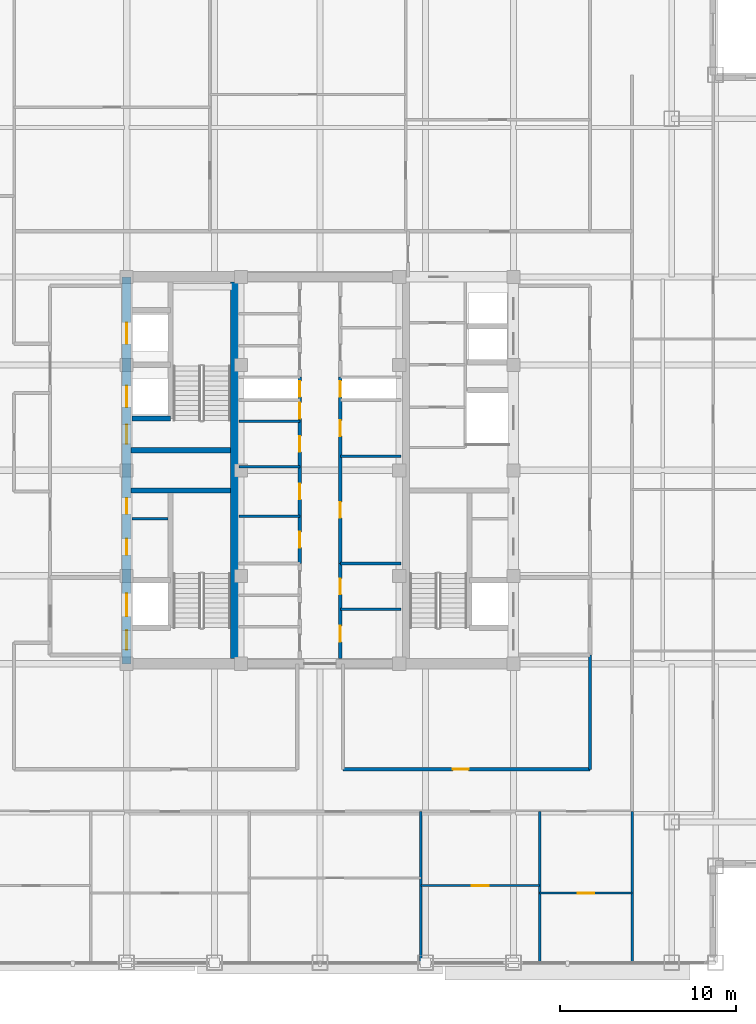
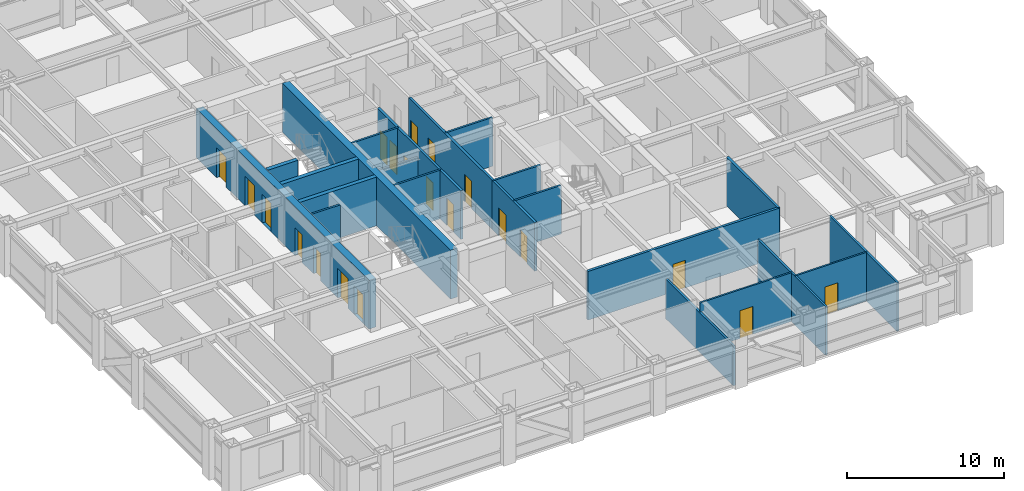
# One storey, part 19 of 27: 22 walls, 20 doors, 20 openings.
"""IFC4 building model written with IfcOpenShell, lengths in metres."""

from ifc_helpers import new_model, si_unit, direction, frame, frame_2d, origin, place, context, subcontext, project, spatial, rectangle, extrude, source, transform, mapped, material, layer, layer_set, type_object, element, fill, save


model = new_model("IFC4")

# Units and contexts
model_context = context("Model", 3, precision=1e-05, world=origin(), true_north=direction((0.0, 1.0)))
body_context = subcontext(model_context, "Body", "Model", "MODEL_VIEW")
ifc_project = project(units=[si_unit("LENGTHUNIT", "METRE"), si_unit("AREAUNIT", "SQUARE_METRE"), si_unit("VOLUMEUNIT", "CUBIC_METRE"), si_unit("PLANEANGLEUNIT", "RADIAN"), si_unit("MASSUNIT", "GRAM", prefix="KILO")], contexts=[model_context])

# Site, building, storey
site_placement = place(None, origin())
site = spatial("IfcSite", under=ifc_project, at=site_placement, CompositionType="ELEMENT")
building_placement = place(site_placement, origin())
building = spatial("IfcBuilding", under=site, at=building_placement, Name="Khorayat Bourse Tower", CompositionType="ELEMENT")
storey_placement = place(building_placement, frame((0.0, 0.0, 281.5)))
storey = spatial("IfcBuildingStorey", under=building, at=storey_placement, Name="L66", CompositionType="ELEMENT", Elevation=281.5)

# Wall, openings, doors
ifc_material_1 = material(Name="Concrete C52/65", Category="concrete")
ifc_layer_1 = layer(ifc_material_1, 0.5)
ifc_layer_set_1 = layer_set([ifc_layer_1], Name="Concrete C52/65")
wall_type_1 = type_object("IfcWallType", Name="WAL-CORE-500", PredefinedType="SHEAR", material=ifc_layer_set_1)
shared_shape_1 = source(origin(), body_context, "Body", "SweptSolid", [
    extrude(rectangle(XDim=22.0, YDim=0.5, at=frame_2d((11.0, 0.0))), origin(), (0.0, 0.0, 1.0), 3.780029296875),
])
wall_1_placement = place(storey_placement, frame((-11.0, -11.0, 0.0), z_axis=(0.0, 0.0, 1.0), x_axis=(0.0, 1.0, 0.0)))
wall_1 = element("IfcWall", 1, at=wall_1_placement, inside=storey, type_object=wall_type_1, Name="L66 Core Shear Wall CORE-W", PredefinedType="SHEAR", context=body_context, shape_type="MappedRepresentation", body=[
    mapped(shared_shape_1, transform((0.0, 0.0, 0.0), scale=1.0)),
])
shared_shape_2 = source(origin(), body_context, "Body", "SweptSolid", [
    extrude(rectangle(XDim=1.10009765625, YDim=2.199951171875, at=frame_2d((0.550048828125, 1.10009765625))), frame((0.0, 0.260009765625, 0.0), z_axis=(0.0, -1.0, 0.0), x_axis=(1.0, 0.0, 0.0)), (0.0, 0.0, 1.0), 0.52001953125),
])
opening_1_placement = place(wall_1_placement, frame((0.800048828125, 0.0, 0.0)))
opening_1 = element("IfcOpeningElement", 2, at=opening_1_placement, cuts=wall_1, Name="Opening DI-01", PredefinedType="OPENING", context=body_context, shape_type="MappedRepresentation", body=[
    mapped(shared_shape_2, transform((0.0, 0.0, 0.0), scale=1.0)),
])
opening_2_placement = place(wall_1_placement, frame((12.5, 0.0, 0.0)))
opening_2 = element("IfcOpeningElement", 3, at=opening_2_placement, cuts=wall_1, Name="Opening DI-01", PredefinedType="OPENING", context=body_context, shape_type="MappedRepresentation", body=[
    mapped(shared_shape_2, transform((0.0, 0.0, 0.0), scale=1.0)),
])
shared_shape_3 = source(origin(), body_context, "Body", "SweptSolid", [
    extrude(rectangle(XDim=0.89990234375, YDim=2.14990234375, at=frame_2d((0.449951171875, 1.074951171875))), frame((0.0, 0.260009765625, 0.0), z_axis=(0.0, -1.0, 0.0), x_axis=(1.0, 0.0, 0.0)), (0.0, 0.0, 1.0), 0.52001953125),
])
opening_3_placement = place(wall_1_placement, frame((6.199951171875, 0.0, 0.0)))
opening_3 = element("IfcOpeningElement", 4, at=opening_3_placement, cuts=wall_1, Name="Opening DI-06", PredefinedType="OPENING", context=body_context, shape_type="MappedRepresentation", body=[
    mapped(shared_shape_3, transform((0.0, 0.0, 0.0), scale=1.0)),
])
opening_4_placement = place(wall_1_placement, frame((8.52490234375, 0.0, 0.0)))
opening_4 = element("IfcOpeningElement", 5, at=opening_4_placement, cuts=wall_1, Name="Opening DI-06", PredefinedType="OPENING", context=body_context, shape_type="MappedRepresentation", body=[
    mapped(shared_shape_3, transform((0.0, 0.0, 0.0), scale=1.0)),
])
shared_shape_4 = source(origin(), body_context, "Body", "SweptSolid", [
    extrude(rectangle(XDim=1.199951171875, YDim=2.300048828125, at=frame_2d((0.60009765625, 1.14990234375))), frame((0.0, 0.260009765625, 0.0), z_axis=(0.0, -1.0, 0.0), x_axis=(1.0, 0.0, 0.0)), (0.0, 0.0, 1.0), 0.52001953125),
])
opening_5_placement = place(wall_1_placement, frame((14.60009765625, 0.0, 0.0)))
opening_5 = element("IfcOpeningElement", 6, at=opening_5_placement, cuts=wall_1, Name="Opening LD-01", PredefinedType="OPENING", context=body_context, shape_type="MappedRepresentation", body=[
    mapped(shared_shape_4, transform((0.0, 0.0, 0.0), scale=1.0)),
])
opening_6_placement = place(wall_1_placement, frame((18.199951171875, 0.0, 0.0)))
opening_6 = element("IfcOpeningElement", 7, at=opening_6_placement, cuts=wall_1, Name="Opening LD-01", PredefinedType="OPENING", context=body_context, shape_type="MappedRepresentation", body=[
    mapped(shared_shape_4, transform((0.0, 0.0, 0.0), scale=1.0)),
])
shared_shape_5 = source(origin(), body_context, "Body", "SweptSolid", [
    extrude(rectangle(XDim=1.300048828125, YDim=2.300048828125, at=frame_2d((0.64990234375, 1.14990234375))), frame((0.0, 0.260009765625, 0.0), z_axis=(0.0, -1.0, 0.0), x_axis=(1.0, 0.0, 0.0)), (0.0, 0.0, 1.0), 0.52001953125),
])
opening_7_placement = place(wall_1_placement, frame((2.699951171875, 0.0, 0.0)))
opening_7 = element("IfcOpeningElement", 8, at=opening_7_placement, cuts=wall_1, Name="Opening LD-02", PredefinedType="OPENING", context=body_context, shape_type="MappedRepresentation", body=[
    mapped(shared_shape_5, transform((0.0, 0.0, 0.0), scale=1.0)),
])
ifc_material_2 = material(Name="Fire-rated steel acoustic leaf", Category="steel")
door_type_1 = type_object("IfcDoorType", Name="DR-INT-STAIR-1100", OperationType="NOTDEFINED", PredefinedType="DOOR", material=ifc_material_2)
shared_shape_6 = source(origin(), body_context, "Body", "SweptSolid", [
    extrude(rectangle(XDim=1.10009765625, YDim=2.199951171875, at=frame_2d((0.550048828125, 1.10009765625))), frame((0.0, 0.02490234375, 0.0), z_axis=(0.0, -1.0, 0.0), x_axis=(1.0, 0.0, 0.0)), (0.0, 0.0, 1.0), 0.050048828125),
])
door_1_placement = place(opening_1_placement, origin())
door_1 = element("IfcDoor", 9, at=door_1_placement, inside=storey, type_object=door_type_1, Name="L66 Exit Stair 1 Door", OperationType="SINGLE_SWING_RIGHT", OverallHeight=2.199951171875, OverallWidth=1.10009765625, PredefinedType="DOOR", context=body_context, shape_type="MappedRepresentation", body=[
    mapped(shared_shape_6, transform((0.0, 0.0, 0.0), scale=1.0)),
])
fill(opening_1, door_1)
door_2_placement = place(opening_2_placement, origin())
door_2 = element("IfcDoor", 10, at=door_2_placement, inside=storey, type_object=door_type_1, Name="L66 Exit Stair 2 Door", OperationType="SINGLE_SWING_RIGHT", OverallHeight=2.199951171875, OverallWidth=1.10009765625, PredefinedType="DOOR", context=body_context, shape_type="MappedRepresentation", body=[
    mapped(shared_shape_6, transform((0.0, 0.0, 0.0), scale=1.0)),
])
fill(opening_2, door_2)
ifc_material_3 = material(Name="Moisture-resistant laminate washroom door")
door_type_2 = type_object("IfcDoorType", Name="DR-INT-WC-900", OperationType="NOTDEFINED", PredefinedType="DOOR", material=ifc_material_3)
shared_shape_7 = source(origin(), body_context, "Body", "SweptSolid", [
    extrude(rectangle(XDim=0.89990234375, YDim=2.14990234375, at=frame_2d((0.449951171875, 1.074951171875))), frame((0.0, 0.02490234375, 0.0), z_axis=(0.0, -1.0, 0.0), x_axis=(1.0, 0.0, 0.0)), (0.0, 0.0, 1.0), 0.050048828125),
])
door_3_placement = place(opening_3_placement, origin())
door_3 = element("IfcDoor", 11, at=door_3_placement, inside=storey, type_object=door_type_2, Name="L66 Switch Closet Door", OperationType="SINGLE_SWING_RIGHT", OverallHeight=2.14990234375, OverallWidth=0.89990234375, PredefinedType="DOOR", context=body_context, shape_type="MappedRepresentation", body=[
    mapped(shared_shape_7, transform((0.0, 0.0, 0.0), scale=1.0)),
])
fill(opening_3, door_3)
door_4_placement = place(opening_4_placement, origin())
door_4 = element("IfcDoor", 12, at=door_4_placement, inside=storey, type_object=door_type_2, Name="L66 Janitor Store Door", OperationType="SINGLE_SWING_LEFT", OverallHeight=2.14990234375, OverallWidth=0.89990234375, PredefinedType="DOOR", context=body_context, shape_type="MappedRepresentation", body=[
    mapped(shared_shape_7, transform((0.0, 0.0, 0.0), scale=1.0)),
])
fill(opening_4, door_4)
ifc_material_4 = material(Name="Brushed bronze stainless-steel sliding door", Category="steel")
door_type_3 = type_object("IfcDoorType", Name="DR-LIFT-PASS-1200", OperationType="NOTDEFINED", PredefinedType="DOOR", material=ifc_material_4)
shared_shape_8 = source(origin(), body_context, "Body", "SweptSolid", [
    extrude(rectangle(XDim=1.199951171875, YDim=2.300048828125, at=frame_2d((0.60009765625, 1.14990234375))), frame((0.0, 0.02490234375, 0.0), z_axis=(0.0, -1.0, 0.0), x_axis=(1.0, 0.0, 0.0)), (0.0, 0.0, 1.0), 0.050048828125),
])
door_5_placement = place(opening_5_placement, origin())
door_5 = element("IfcDoor", 13, at=door_5_placement, inside=storey, type_object=door_type_3, Name="L66 Lift PL-H1 Sliding Landing Door", OperationType="SLIDING_TO_LEFT", OverallHeight=2.300048828125, OverallWidth=1.199951171875, PredefinedType="DOOR", context=body_context, shape_type="MappedRepresentation", body=[
    mapped(shared_shape_8, transform((0.0, 0.0, 0.0), scale=1.0)),
])
fill(opening_5, door_5)
door_6_placement = place(opening_6_placement, origin())
door_6 = element("IfcDoor", 14, at=door_6_placement, inside=storey, type_object=door_type_3, Name="L66 Lift PL-H2 Sliding Landing Door", OperationType="SLIDING_TO_LEFT", OverallHeight=2.300048828125, OverallWidth=1.199951171875, PredefinedType="DOOR", context=body_context, shape_type="MappedRepresentation", body=[
    mapped(shared_shape_8, transform((0.0, 0.0, 0.0), scale=1.0)),
])
fill(opening_6, door_6)
ifc_material_5 = material(Name="Fire-rated stainless-steel sliding landing door", Category="steel")
door_type_4 = type_object("IfcDoorType", Name="DR-LIFT-FF-1300", OperationType="NOTDEFINED", PredefinedType="DOOR", material=ifc_material_5)
shared_shape_9 = source(origin(), body_context, "Body", "SweptSolid", [
    extrude(rectangle(XDim=1.300048828125, YDim=2.300048828125, at=frame_2d((0.64990234375, 1.14990234375))), frame((0.0, 0.02490234375, 0.0), z_axis=(0.0, -1.0, 0.0), x_axis=(1.0, 0.0, 0.0)), (0.0, 0.0, 1.0), 0.050048828125),
])
door_7_placement = place(opening_7_placement, origin())
door_7 = element("IfcDoor", 15, at=door_7_placement, inside=storey, type_object=door_type_4, Name="L66 Lift FFL-01 Sliding Landing Door", OperationType="SLIDING_TO_LEFT", OverallHeight=2.300048828125, OverallWidth=1.300048828125, PredefinedType="DOOR", context=body_context, shape_type="MappedRepresentation", body=[
    mapped(shared_shape_9, transform((0.0, 0.0, 0.0), scale=1.0)),
])
fill(opening_7, door_7)

# Walls
shared_shape_10 = source(origin(), body_context, "Body", "SweptSolid", [
    extrude(rectangle(XDim=21.39990234375, YDim=0.5, at=frame_2d((10.699951171875, 0.0))), origin(), (0.0, 0.0, 1.0), 3.780029296875),
])
wall_2_placement = place(storey_placement, frame((-4.85009765625, -10.699951171875, 0.0), z_axis=(0.0, 0.0, 1.0), x_axis=(0.0, 1.0, 0.0)))
element("IfcWall", 16, at=wall_2_placement, inside=storey, type_object=wall_type_1, Name="L66 Core Shear Wall PIER-W", PredefinedType="SHEAR", context=body_context, shape_type="MappedRepresentation", body=[
    mapped(shared_shape_10, transform((0.0, 0.0, 0.0), scale=1.0)),
])
ifc_material_6 = material(Name="Concrete C50/60", Category="concrete")
ifc_layer_2 = layer(ifc_material_6, 0.300048828125)
ifc_layer_set_2 = layer_set([ifc_layer_2], Name="Concrete C50/60")
wall_type_2 = type_object("IfcWallType", Name="WAL-SHAFT-300", PredefinedType="SHEAR", material=ifc_layer_set_2)
shared_shape_11 = source(origin(), body_context, "Body", "SweptSolid", [
    extrude(rectangle(XDim=5.64990234375, YDim=0.300048828125, at=frame_2d((2.824951171875, 0.0))), origin(), (0.0, 0.0, 1.0), 3.780029296875),
])
for number, where, z_axis, x_axis, name in (
    (17, (-10.75, -1.14990234375, 0.0), (0.0, 0.0, 1.0), (1.0, 0.0, 0.0), "L66 Core Shear Wall ST1-DIV"),
    (18, (-10.75, 1.14990234375, 0.0), (0.0, 0.0, 1.0), (1.0, 0.0, 0.0), "L66 Core Shear Wall ST2-DIV"),
):
    element("IfcWall", number, at=place(storey_placement, frame(where, z_axis=z_axis, x_axis=x_axis)), inside=storey, type_object=wall_type_2, Name=name, PredefinedType="SHEAR", context=body_context, shape_type="MappedRepresentation", body=[
        mapped(shared_shape_11, transform((0.0, 0.0, 0.0), scale=1.0)),
    ])
ifc_material_7 = material(Name="Moisture-resistant masonry partition", Category="masonry")
ifc_layer_3 = layer(ifc_material_7, 0.139892578125)
ifc_layer_set_3 = layer_set([ifc_layer_3], Name="Moisture-resistant masonry partition")
wall_type_3 = type_object("IfcWallType", Name="WAL-PART-WET-140", PredefinedType="PARTITIONING", material=ifc_layer_set_3)
shared_shape_12 = source(origin(), body_context, "Body", "SweptSolid", [
    extrude(rectangle(XDim=3.4501953125, YDim=0.139892578125, at=frame_2d((1.72509765625, 0.0))), origin(), (0.0, 0.0, 1.0), 3.0849609375),
])
wall_3_placement = place(storey_placement, frame((-4.60009765625, 0.199951171875, 0.0), z_axis=(0.0, 0.0, 1.0), x_axis=(1.0, 0.0, 0.0)))
element("IfcWall", 19, at=wall_3_placement, inside=storey, type_object=wall_type_3, Name="L66 Partition WAL-L66-CMW-D2", PredefinedType="PARTITIONING", context=body_context, shape_type="MappedRepresentation", body=[
    mapped(shared_shape_12, transform((0.0, 0.0, 0.0), scale=1.0)),
])
shared_shape_13 = source(origin(), body_context, "Body", "SweptSolid", [
    extrude(rectangle(XDim=2.199951171875, YDim=0.300048828125, at=frame_2d((1.10009765625, 0.0))), origin(), (0.0, 0.0, 1.0), 3.780029296875),
])
wall_4_placement = place(storey_placement, frame((-10.699951171875, 2.949951171875, 0.0), z_axis=(0.0, 0.0, 1.0), x_axis=(1.0, 0.0, 0.0)))
element("IfcWall", 20, at=wall_4_placement, inside=storey, type_object=wall_type_2, Name="L66 Partition WAL-L66-WPIER-H1S", PredefinedType="SHEAR", context=body_context, shape_type="MappedRepresentation", body=[
    mapped(shared_shape_13, transform((0.0, 0.0, 0.0), scale=1.0)),
])
ifc_material_8 = material(Name="Gypsum plasterboard twin-frame partition")
ifc_layer_4 = layer(ifc_material_8, 0.14990234375)
ifc_layer_set_4 = layer_set([ifc_layer_4], Name="Gypsum plasterboard twin-frame partition")
wall_type_4 = type_object("IfcWallType", Name="WAL-PART-SUITE-150", PredefinedType="PARTITIONING", material=ifc_layer_set_4)
shared_shape_14 = source(origin(), body_context, "Body", "SweptSolid", [
    extrude(rectangle(XDim=2.050048828125, YDim=0.14990234375, at=frame_2d((1.02490234375, 0.0))), origin(), (0.0, 0.0, 1.0), 3.780029296875),
])
wall_5_placement = place(storey_placement, frame((-10.699951171875, -2.75, 0.0), z_axis=(0.0, 0.0, 1.0), x_axis=(1.0, 0.0, 0.0)))
element("IfcWall", 21, at=wall_5_placement, inside=storey, type_object=wall_type_4, Name="L66 Partition WAL-L66-WSRV-D1", PredefinedType="PARTITIONING", context=body_context, shape_type="MappedRepresentation", body=[
    mapped(shared_shape_14, transform((0.0, 0.0, 0.0), scale=1.0)),
])
shared_shape_15 = source(origin(), body_context, "Body", "SweptSolid", [
    extrude(rectangle(XDim=3.4501953125, YDim=0.14990234375, at=frame_2d((1.72509765625, 0.0))), origin(), (0.0, 0.0, 1.0), 3.780029296875),
])
wall_6_placement = place(storey_placement, frame((1.14990234375, -5.300048828125, 0.0), z_axis=(0.0, 0.0, 1.0), x_axis=(1.0, 0.0, 0.0)))
element("IfcWall", 22, at=wall_6_placement, inside=storey, type_object=wall_type_4, Name="L66 Partition WAL-L66-FB1-NE", PredefinedType="PARTITIONING", context=body_context, shape_type="MappedRepresentation", body=[
    mapped(shared_shape_15, transform((0.0, 0.0, 0.0), scale=1.0)),
])

# Wall, openings, doors
ifc_material_9 = material(Name="Gypsum plasterboard acoustic stud wall")
ifc_layer_5 = layer(ifc_material_9, 0.179931640625)
ifc_layer_set_5 = layer_set([ifc_layer_5], Name="Gypsum plasterboard acoustic stud wall")
wall_type_5 = type_object("IfcWallType", Name="WAL-PART-CORR-180", PredefinedType="PARTITIONING", material=ifc_layer_set_5)
shared_shape_16 = source(origin(), body_context, "Body", "SweptSolid", [
    extrude(rectangle(XDim=5.39990234375, YDim=0.179931640625, at=frame_2d((2.699951171875, 0.0))), origin(), (0.0, 0.0, 1.0), 3.780029296875),
])
wall_7_placement = place(storey_placement, frame((1.14990234375, -10.699951171875, 0.0), z_axis=(0.0, 0.0, 1.0), x_axis=(0.0, 1.0, 0.0)))
wall_7 = element("IfcWall", 23, at=wall_7_placement, inside=storey, type_object=wall_type_5, Name="L66 Partition WAL-L66-FB1E-L", PredefinedType="PARTITIONING", context=body_context, shape_type="MappedRepresentation", body=[
    mapped(shared_shape_16, transform((0.0, 0.0, 0.0), scale=1.0)),
])
shared_shape_17 = source(origin(), body_context, "Body", "SweptSolid", [
    extrude(rectangle(XDim=0.89990234375, YDim=2.14990234375, at=frame_2d((0.449951171875, 1.074951171875))), frame((0.0, 0.099853515625, 0.0), z_axis=(0.0, -1.0, 0.0), x_axis=(1.0, 0.0, 0.0)), (0.0, 0.0, 1.0), 0.199951171875),
])
opening_8_placement = place(wall_7_placement, frame((0.949951171875, 0.0, 0.0)))
opening_8 = element("IfcOpeningElement", 24, at=opening_8_placement, cuts=wall_7, Name="Opening DI-06", PredefinedType="OPENING", context=body_context, shape_type="MappedRepresentation", body=[
    mapped(shared_shape_17, transform((0.0, 0.0, 0.0), scale=1.0)),
])
opening_9_placement = place(wall_7_placement, frame((3.64990234375, 0.0, 0.0)))
opening_9 = element("IfcOpeningElement", 25, at=opening_9_placement, cuts=wall_7, Name="Opening DI-06", PredefinedType="OPENING", context=body_context, shape_type="MappedRepresentation", body=[
    mapped(shared_shape_17, transform((0.0, 0.0, 0.0), scale=1.0)),
])
door_8_placement = place(opening_8_placement, origin())
door_8 = element("IfcDoor", 26, at=door_8_placement, inside=storey, type_object=door_type_2, Name="L66 UPS Switch Plant Room Door", OperationType="SINGLE_SWING_RIGHT", OverallHeight=2.14990234375, OverallWidth=0.89990234375, PredefinedType="DOOR", context=body_context, shape_type="MappedRepresentation", body=[
    mapped(shared_shape_7, transform((0.0, 0.0, 0.0), scale=1.0)),
])
fill(opening_8, door_8)
door_9_placement = place(opening_9_placement, origin())
door_9 = element("IfcDoor", 27, at=door_9_placement, inside=storey, type_object=door_type_2, Name="L66 Reprographics Store Door", OperationType="SINGLE_SWING_LEFT", OverallHeight=2.14990234375, OverallWidth=0.89990234375, PredefinedType="DOOR", context=body_context, shape_type="MappedRepresentation", body=[
    mapped(shared_shape_7, transform((0.0, 0.0, 0.0), scale=1.0)),
])
fill(opening_9, door_9)

# Walls
shared_shape_18 = source(origin(), body_context, "Body", "SweptSolid", [
    extrude(rectangle(XDim=3.4501953125, YDim=0.139892578125, at=frame_2d((1.72509765625, 0.0))), origin(), (0.0, 0.0, 1.0), 3.780029296875),
])
for number, where, z_axis, x_axis, name in (
    (28, (1.14990234375, -7.89990234375, 0.0), (0.0, 0.0, 1.0), (1.0, 0.0, 0.0), "L66 Partition WAL-L66-FB1E-D1"),
    (29, (-4.60009765625, -2.60009765625, 0.0), (0.0, 0.0, 1.0), (1.0, 0.0, 0.0), "L66 Partition WAL-L66-CMW-D1"),
    (30, (-4.60009765625, 2.800048828125, 0.0), (0.0, 0.0, 1.0), (1.0, 0.0, 0.0), "L66 Partition WAL-L66-CMW-D3"),
    (31, (1.14990234375, 0.800048828125, 0.0), (0.0, 0.0, 1.0), (1.0, 0.0, 0.0), "L66 Partition WAL-L66-CME-D1"),
):
    element("IfcWall", number, at=place(storey_placement, frame(where, z_axis=z_axis, x_axis=x_axis)), inside=storey, type_object=wall_type_3, Name=name, PredefinedType="PARTITIONING", context=body_context, shape_type="MappedRepresentation", body=[
        mapped(shared_shape_18, transform((0.0, 0.0, 0.0), scale=1.0)),
    ])

# Wall, openings, doors
shared_shape_19 = source(origin(), body_context, "Body", "SweptSolid", [
    extrude(rectangle(XDim=10.60009765625, YDim=0.179931640625, at=frame_2d((5.300048828125, 0.0))), origin(), (0.0, 0.0, 1.0), 3.780029296875),
])
wall_8_placement = place(storey_placement, frame((-1.14990234375, -5.300048828125, 0.0), z_axis=(0.0, 0.0, 1.0), x_axis=(0.0, 1.0, 0.0)))
wall_8 = element("IfcWall", 32, at=wall_8_placement, inside=storey, type_object=wall_type_5, Name="L66 Partition WAL-L66-CMW-L", PredefinedType="PARTITIONING", context=body_context, shape_type="MappedRepresentation", body=[
    mapped(shared_shape_19, transform((0.0, 0.0, 0.0), scale=1.0)),
])
opening_10_placement = place(wall_8_placement, frame((0.89990234375, 0.0, 0.0)))
opening_10 = element("IfcOpeningElement", 33, at=opening_10_placement, cuts=wall_8, Name="Opening DI-06", PredefinedType="OPENING", context=body_context, shape_type="MappedRepresentation", body=[
    mapped(shared_shape_17, transform((0.0, 0.0, 0.0), scale=1.0)),
])
opening_11_placement = place(wall_8_placement, frame((3.64990234375, 0.0, 0.0)))
opening_11 = element("IfcOpeningElement", 34, at=opening_11_placement, cuts=wall_8, Name="Opening DI-06", PredefinedType="OPENING", context=body_context, shape_type="MappedRepresentation", body=[
    mapped(shared_shape_17, transform((0.0, 0.0, 0.0), scale=1.0)),
])
opening_12_placement = place(wall_8_placement, frame((6.35009765625, 0.0, 0.0)))
opening_12 = element("IfcOpeningElement", 35, at=opening_12_placement, cuts=wall_8, Name="Opening DI-06", PredefinedType="OPENING", context=body_context, shape_type="MappedRepresentation", body=[
    mapped(shared_shape_17, transform((0.0, 0.0, 0.0), scale=1.0)),
])
opening_13_placement = place(wall_8_placement, frame((8.25, 0.0, 0.0)))
opening_13 = element("IfcOpeningElement", 36, at=opening_13_placement, cuts=wall_8, Name="Opening DI-06", PredefinedType="OPENING", context=body_context, shape_type="MappedRepresentation", body=[
    mapped(shared_shape_17, transform((0.0, 0.0, 0.0), scale=1.0)),
])
opening_14_placement = place(wall_8_placement, frame((9.47509765625, 0.0, 0.0)))
opening_14 = element("IfcOpeningElement", 37, at=opening_14_placement, cuts=wall_8, Name="Opening DI-06", PredefinedType="OPENING", context=body_context, shape_type="MappedRepresentation", body=[
    mapped(shared_shape_17, transform((0.0, 0.0, 0.0), scale=1.0)),
])
door_10_placement = place(opening_10_placement, origin())
door_10 = element("IfcDoor", 38, at=door_10_placement, inside=storey, type_object=door_type_2, Name="L66 Cleaners Store Door", OperationType="SINGLE_SWING_RIGHT", OverallHeight=2.14990234375, OverallWidth=0.89990234375, PredefinedType="DOOR", context=body_context, shape_type="MappedRepresentation", body=[
    mapped(shared_shape_7, transform((0.0, 0.0, 0.0), scale=1.0)),
])
fill(opening_10, door_10)
door_11_placement = place(opening_11_placement, origin())
door_11 = element("IfcDoor", 39, at=door_11_placement, inside=storey, type_object=door_type_2, Name="L66 Male Core Washroom Door", OperationType="SINGLE_SWING_LEFT", OverallHeight=2.14990234375, OverallWidth=0.89990234375, PredefinedType="DOOR", context=body_context, shape_type="MappedRepresentation", body=[
    mapped(shared_shape_7, transform((0.0, 0.0, 0.0), scale=1.0)),
])
fill(opening_11, door_11)
door_12_placement = place(opening_12_placement, origin())
door_12 = element("IfcDoor", 40, at=door_12_placement, inside=storey, type_object=door_type_2, Name="L66 Electrical Closet Door", OperationType="SINGLE_SWING_RIGHT", OverallHeight=2.14990234375, OverallWidth=0.89990234375, PredefinedType="DOOR", context=body_context, shape_type="MappedRepresentation", body=[
    mapped(shared_shape_7, transform((0.0, 0.0, 0.0), scale=1.0)),
])
fill(opening_12, door_12)
door_13_placement = place(opening_13_placement, origin())
door_13 = element("IfcDoor", 41, at=door_13_placement, inside=storey, type_object=door_type_2, Name="L66 Archive Cupboard Door", OperationType="SINGLE_SWING_LEFT", OverallHeight=2.14990234375, OverallWidth=0.89990234375, PredefinedType="DOOR", context=body_context, shape_type="MappedRepresentation", body=[
    mapped(shared_shape_7, transform((0.0, 0.0, 0.0), scale=1.0)),
])
fill(opening_13, door_13)
door_14_placement = place(opening_14_placement, origin())
door_14 = element("IfcDoor", 42, at=door_14_placement, inside=storey, type_object=door_type_2, Name="L66 West Core Riser Door", OperationType="SINGLE_SWING_LEFT", OverallHeight=2.14990234375, OverallWidth=0.89990234375, PredefinedType="DOOR", context=body_context, shape_type="MappedRepresentation", body=[
    mapped(shared_shape_7, transform((0.0, 0.0, 0.0), scale=1.0)),
])
fill(opening_14, door_14)

wall_9_placement = place(storey_placement, frame((1.14990234375, -5.300048828125, 0.0), z_axis=(0.0, 0.0, 1.0), x_axis=(0.0, 1.0, 0.0)))
wall_9 = element("IfcWall", 43, at=wall_9_placement, inside=storey, type_object=wall_type_5, Name="L66 Partition WAL-L66-CME-L", PredefinedType="PARTITIONING", context=body_context, shape_type="MappedRepresentation", body=[
    mapped(shared_shape_19, transform((0.0, 0.0, 0.0), scale=1.0)),
])
opening_15_placement = place(wall_9_placement, frame((2.60009765625, 0.0, 0.0)))
opening_15 = element("IfcOpeningElement", 44, at=opening_15_placement, cuts=wall_9, Name="Opening DI-06", PredefinedType="OPENING", context=body_context, shape_type="MappedRepresentation", body=[
    mapped(shared_shape_17, transform((0.0, 0.0, 0.0), scale=1.0)),
])
opening_16_placement = place(wall_9_placement, frame((7.25, 0.0, 0.0)))
opening_16 = element("IfcOpeningElement", 45, at=opening_16_placement, cuts=wall_9, Name="Opening DI-06", PredefinedType="OPENING", context=body_context, shape_type="MappedRepresentation", body=[
    mapped(shared_shape_17, transform((0.0, 0.0, 0.0), scale=1.0)),
])
opening_17_placement = place(wall_9_placement, frame((9.47509765625, 0.0, 0.0)))
opening_17 = element("IfcOpeningElement", 46, at=opening_17_placement, cuts=wall_9, Name="Opening DI-06", PredefinedType="OPENING", context=body_context, shape_type="MappedRepresentation", body=[
    mapped(shared_shape_17, transform((0.0, 0.0, 0.0), scale=1.0)),
])
door_15_placement = place(opening_15_placement, origin())
door_15 = element("IfcDoor", 47, at=door_15_placement, inside=storey, type_object=door_type_2, Name="L66 Female Core Washroom Door", OperationType="SINGLE_SWING_RIGHT", OverallHeight=2.14990234375, OverallWidth=0.89990234375, PredefinedType="DOOR", context=body_context, shape_type="MappedRepresentation", body=[
    mapped(shared_shape_7, transform((0.0, 0.0, 0.0), scale=1.0)),
])
fill(opening_15, door_15)
door_16_placement = place(opening_16_placement, origin())
door_16 = element("IfcDoor", 48, at=door_16_placement, inside=storey, type_object=door_type_2, Name="L66 Smoke Extract Fan Plant Room Door", OperationType="SINGLE_SWING_LEFT", OverallHeight=2.14990234375, OverallWidth=0.89990234375, PredefinedType="DOOR", context=body_context, shape_type="MappedRepresentation", body=[
    mapped(shared_shape_7, transform((0.0, 0.0, 0.0), scale=1.0)),
])
fill(opening_16, door_16)
door_17_placement = place(opening_17_placement, origin())
door_17 = element("IfcDoor", 49, at=door_17_placement, inside=storey, type_object=door_type_2, Name="L66 East Core Riser Door", OperationType="SINGLE_SWING_RIGHT", OverallHeight=2.14990234375, OverallWidth=0.89990234375, PredefinedType="DOOR", context=body_context, shape_type="MappedRepresentation", body=[
    mapped(shared_shape_7, transform((0.0, 0.0, 0.0), scale=1.0)),
])
fill(opening_17, door_17)

# Wall
shared_shape_20 = source(origin(), body_context, "Body", "SweptSolid", [
    extrude(rectangle(XDim=6.5, YDim=0.179931640625, at=frame_2d((3.25, 0.0))), origin(), (0.0, 0.0, 1.0), 3.780029296875),
])
wall_10_placement = place(storey_placement, frame((15.35009765625, -17.0, 0.0), z_axis=(0.0, 0.0, 1.0), x_axis=(0.0, 1.0, 0.0)))
element("IfcWall", 50, at=wall_10_placement, inside=storey, type_object=wall_type_5, Name="L66 Partition WAL-L66-PKSE-E", PredefinedType="PARTITIONING", context=body_context, shape_type="MappedRepresentation", body=[
    mapped(shared_shape_20, transform((0.0, 0.0, 0.0), scale=1.0)),
])

# Wall, opening, door
shared_shape_21 = source(origin(), body_context, "Body", "SweptSolid", [
    extrude(rectangle(XDim=14.050048828125, YDim=0.179931640625, at=frame_2d((7.02490234375, 0.0))), origin(), (0.0, 0.0, 1.0), 3.780029296875),
])
wall_11_placement = place(storey_placement, frame((1.300048828125, -17.0, 0.0), z_axis=(0.0, 0.0, 1.0), x_axis=(1.0, 0.0, 0.0)))
wall_11 = element("IfcWall", 51, at=wall_11_placement, inside=storey, type_object=wall_type_5, Name="L66 Partition WAL-L66-PKSE-S", PredefinedType="PARTITIONING", context=body_context, shape_type="MappedRepresentation", body=[
    mapped(shared_shape_21, transform((0.0, 0.0, 0.0), scale=1.0)),
])
opening_18_placement = place(wall_11_placement, frame((6.25, 0.0, 0.0)))
opening_18 = element("IfcOpeningElement", 52, at=opening_18_placement, cuts=wall_11, Name="Opening DI-06", PredefinedType="OPENING", context=body_context, shape_type="MappedRepresentation", body=[
    mapped(shared_shape_17, transform((0.0, 0.0, 0.0), scale=1.0)),
])
door_18_placement = place(opening_18_placement, origin())
door_18 = element("IfcDoor", 53, at=door_18_placement, inside=storey, type_object=door_type_2, Name="L66 SE Inboard Study Door", OperationType="SINGLE_SWING_RIGHT", OverallHeight=2.14990234375, OverallWidth=0.89990234375, PredefinedType="DOOR", context=body_context, shape_type="MappedRepresentation", body=[
    mapped(shared_shape_7, transform((0.0, 0.0, 0.0), scale=1.0)),
])
fill(opening_18, door_18)

ifc_material_10 = material(Name="Gypsum plasterboard partition")
ifc_layer_6 = layer(ifc_material_10, 0.125)
ifc_layer_set_6 = layer_set([ifc_layer_6], Name="Gypsum plasterboard partition")
wall_type_6 = type_object("IfcWallType", Name="WAL-PART-ROOM-125", PredefinedType="PARTITIONING", material=ifc_layer_set_6)
shared_shape_22 = source(origin(), body_context, "Body", "SweptSolid", [
    extrude(rectangle(XDim=6.759033203125, YDim=0.125, at=frame_2d((3.37939453125, 0.0))), origin(), (0.0, 0.0, 1.0), 3.780029296875),
])
wall_12_placement = place(storey_placement, frame((5.73388671875, -23.614013671875, 0.0), z_axis=(0.0, 0.0, 1.0), x_axis=(1.0, 0.0, 0.0)))
wall_12 = element("IfcWall", 54, at=wall_12_placement, inside=storey, type_object=wall_type_6, Name="L66 Partition WAL-L66-SDP-4", PredefinedType="PARTITIONING", context=body_context, shape_type="MappedRepresentation", body=[
    mapped(shared_shape_22, transform((0.0, 0.0, 0.0), scale=1.0)),
])
shared_shape_23 = source(origin(), body_context, "Body", "SweptSolid", [
    extrude(rectangle(XDim=0.949951171875, YDim=2.14990234375, at=frame_2d((0.47509765625, 1.074951171875))), frame((0.0, 0.072509765625, 0.0), z_axis=(0.0, -1.0, 0.0), x_axis=(1.0, 0.0, 0.0)), (0.0, 0.0, 1.0), 0.14501953125),
])
opening_19_placement = place(wall_12_placement, frame((2.904541015625, 0.0, 0.0)))
opening_19 = element("IfcOpeningElement", 55, at=opening_19_placement, cuts=wall_12, Name="Opening DI-05", PredefinedType="OPENING", context=body_context, shape_type="MappedRepresentation", body=[
    mapped(shared_shape_23, transform((0.0, 0.0, 0.0), scale=1.0)),
])
ifc_material_11 = material(Name="Acoustic oak veneer office door")
door_type_5 = type_object("IfcDoorType", Name="DR-INT-OFFICE-950", OperationType="NOTDEFINED", PredefinedType="DOOR", material=ifc_material_11)
shared_shape_24 = source(origin(), body_context, "Body", "SweptSolid", [
    extrude(rectangle(XDim=0.949951171875, YDim=2.14990234375, at=frame_2d((0.47509765625, 1.074951171875))), frame((0.0, 0.02490234375, 0.0), z_axis=(0.0, -1.0, 0.0), x_axis=(1.0, 0.0, 0.0)), (0.0, 0.0, 1.0), 0.050048828125),
])
door_19_placement = place(opening_19_placement, origin())
door_19 = element("IfcDoor", 56, at=door_19_placement, inside=storey, type_object=door_type_5, Name="L66 Staff Tea Pantry S4B Door", OperationType="SINGLE_SWING_LEFT", OverallHeight=2.14990234375, OverallWidth=0.949951171875, PredefinedType="DOOR", context=body_context, shape_type="MappedRepresentation", body=[
    mapped(shared_shape_24, transform((0.0, 0.0, 0.0), scale=1.0)),
])
fill(opening_19, door_19)

# Walls
shared_shape_25 = source(origin(), body_context, "Body", "SweptSolid", [
    extrude(rectangle(XDim=8.60009765625, YDim=0.14990234375, at=frame_2d((4.300048828125, 0.0))), origin(), (0.0, 0.0, 1.0), 3.780029296875),
])
for number, where, z_axis, x_axis, name in (
    (57, (12.492919921875, -28.0, 0.0), (0.0, 0.0, 1.0), (0.0, 1.0, 0.0), "L66 Partition WAL-L66-SDV-4"),
    (58, (17.75, -28.0, 0.0), (0.0, 0.0, 1.0), (0.0, 1.0, 0.0), "L66 Partition WAL-L66-SCE-END"),
):
    element("IfcWall", number, at=place(storey_placement, frame(where, z_axis=z_axis, x_axis=x_axis)), inside=storey, type_object=wall_type_4, Name=name, PredefinedType="PARTITIONING", context=body_context, shape_type="MappedRepresentation", body=[
        mapped(shared_shape_25, transform((0.0, 0.0, 0.0), scale=1.0)),
    ])
shared_shape_26 = source(origin(), body_context, "Body", "SweptSolid", [
    extrude(rectangle(XDim=8.60009765625, YDim=0.14990234375, at=frame_2d((4.300048828125, 0.0))), origin(), (0.0, 0.0, 1.0), 3.0849609375),
])
wall_13_placement = place(storey_placement, frame((5.73388671875, -28.0, 0.0), z_axis=(0.0, 0.0, 1.0), x_axis=(0.0, 1.0, 0.0)))
element("IfcWall", 59, at=wall_13_placement, inside=storey, type_object=wall_type_4, Name="L66 Partition WAL-L66-SDV-3", PredefinedType="PARTITIONING", context=body_context, shape_type="MappedRepresentation", body=[
    mapped(shared_shape_26, transform((0.0, 0.0, 0.0), scale=1.0)),
])

# Wall, opening, door
shared_shape_27 = source(origin(), body_context, "Body", "SweptSolid", [
    extrude(rectangle(XDim=5.257080078125, YDim=0.125, at=frame_2d((2.62841796875, 0.0))), origin(), (0.0, 0.0, 1.0), 3.780029296875),
])
wall_14_placement = place(storey_placement, frame((12.492919921875, -24.0439453125, 0.0), z_axis=(0.0, 0.0, 1.0), x_axis=(1.0, 0.0, 0.0)))
wall_14 = element("IfcWall", 60, at=wall_14_placement, inside=storey, type_object=wall_type_6, Name="L66 Partition WAL-L66-SDP-5", PredefinedType="PARTITIONING", context=body_context, shape_type="MappedRepresentation", body=[
    mapped(shared_shape_27, transform((0.0, 0.0, 0.0), scale=1.0)),
])
opening_20_placement = place(wall_14_placement, frame((2.153564453125, 0.0, 0.0)))
opening_20 = element("IfcOpeningElement", 61, at=opening_20_placement, cuts=wall_14, Name="Opening DI-05", PredefinedType="OPENING", context=body_context, shape_type="MappedRepresentation", body=[
    mapped(shared_shape_23, transform((0.0, 0.0, 0.0), scale=1.0)),
])
door_20_placement = place(opening_20_placement, origin())
door_20 = element("IfcDoor", 62, at=door_20_placement, inside=storey, type_object=door_type_5, Name="L66 Executive Boardroom S5B Door", OperationType="SINGLE_SWING_RIGHT", OverallHeight=2.14990234375, OverallWidth=0.949951171875, PredefinedType="DOOR", context=body_context, shape_type="MappedRepresentation", body=[
    mapped(shared_shape_24, transform((0.0, 0.0, 0.0), scale=1.0)),
])
fill(opening_20, door_20)

save(model, "model.ifc")
